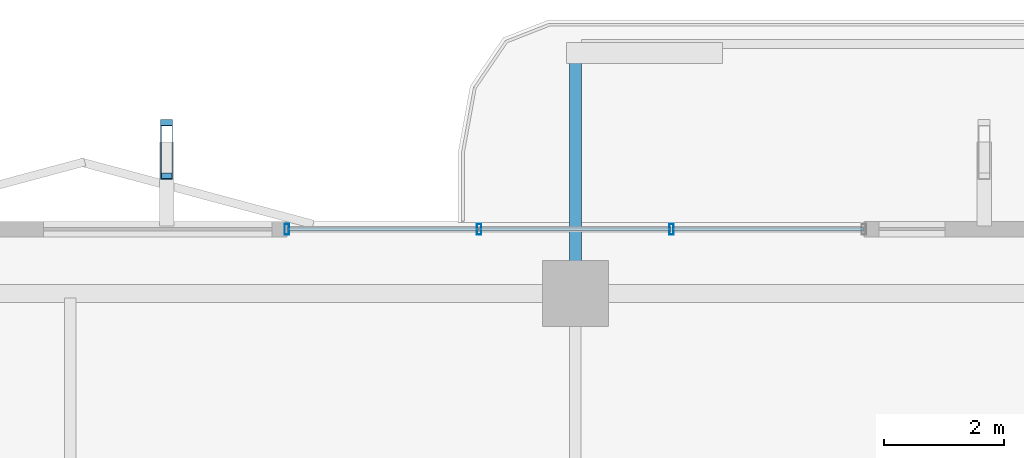
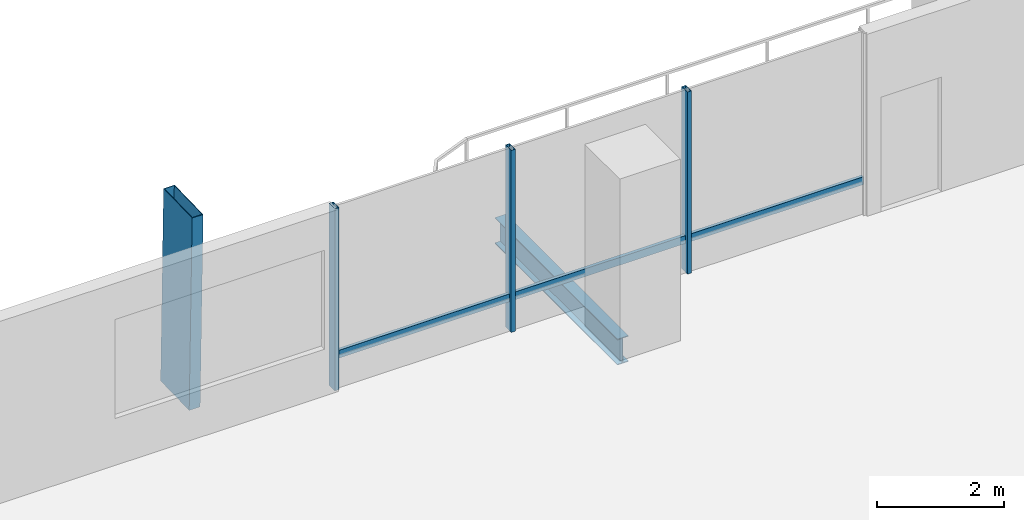
# One storey, part 14 of 25: 7 members, 1 beam, 1 element without a shape of its own.
"""IFC4 building model written with IfcOpenShell, lengths in metres."""

from ifc_helpers import new_model, si_unit, direction, frame, origin, origin_2d, place, context, subcontext, project, spatial, hollow_rectangle, i_section, extrude, material, layer, layer_set, material_profile, profile_set, type_object, element, aggregate, save


model = new_model("IFC4")

# Units and contexts
model_context = context("Model", 3, precision=1e-05, world=origin(), true_north=direction((0.0, 1.0)))
body_context = subcontext(model_context, "Body", "Model", "MODEL_VIEW")
ifc_project = project(units=[si_unit("LENGTHUNIT", "METRE"), si_unit("AREAUNIT", "SQUARE_METRE"), si_unit("VOLUMEUNIT", "CUBIC_METRE"), si_unit("PLANEANGLEUNIT", "RADIAN"), si_unit("MASSUNIT", "GRAM", prefix="KILO")], contexts=[model_context])

# Site, building, storey
site_placement = place(None, origin())
site = spatial("IfcSite", under=ifc_project, at=site_placement, CompositionType="ELEMENT")
building_placement = place(site_placement, origin())
building = spatial("IfcBuilding", under=site, at=building_placement, Name="Belovzor Exchange Tower", CompositionType="ELEMENT")
storey_placement = place(building_placement, frame((0.0, 0.0, 160.800048828125)))
storey = spatial("IfcBuildingStorey", under=building, at=storey_placement, Name="L39", CompositionType="ELEMENT", Elevation=160.800048828125)

# Beam
ifc_material_1 = material(Name="Steel S355", Category="steel")
ifc_material_profile_1 = material_profile(ifc_material_1, i_section(OverallWidth=0.199951171875, OverallDepth=0.5, WebThickness=0.01025390625, FlangeThickness=0.01611328125, at=origin_2d()))
ifc_profile_set_1 = profile_set([ifc_material_profile_1], Name="Steel S355")
beam_type = type_object("IfcBeamType", Name="Planted Balcony Cantilever Beam IPE 500", PredefinedType="BEAM", material=ifc_profile_set_1)
beam_placement = place(storey_placement, frame((28.800048828125, 52.202880859375, -0.505126953125), z_axis=(0.0, 1.0, 0.0), x_axis=(-1.0, 0.0, 0.0)))
element("IfcBeam", 1, at=beam_placement, inside=storey, type_object=beam_type, Name="BC-500 Planted Balcony Cantilever Beam IPE 500", PredefinedType="BEAM", context=body_context, shape_type="SweptSolid", body=[
    extrude(i_section(OverallWidth=0.199951171875, OverallDepth=0.5, WebThickness=0.01025390625, FlangeThickness=0.01611328125, at=origin_2d()), origin(), (0.0, 0.0, 1.0), 3.85009765625),
])

# Member
ifc_material_2 = material(Name="Extruded Architectural Terracotta on Steel S355 Carrier", Category="masonry")
ifc_material_profile_2 = material_profile(ifc_material_2, hollow_rectangle(XDim=0.199951171875, YDim=0.89990234375, WallThickness=0.011962890625, at=origin_2d()))
ifc_profile_set_2 = profile_set([ifc_material_profile_2], Name="Extruded Architectural Terracotta on Steel S355 Carrier")
member_type_1 = type_object("IfcMemberType", Name="Sweeping Terracotta Baguette Fin Assembly 1250", PredefinedType="USERDEFINED", material=ifc_profile_set_2)
member_1_placement = place(storey_placement, frame((22.0, 54.341064453125, -0.255126953125), z_axis=(0.0, -0.025057234181, 0.999686018215), x_axis=(1.0, 0.0, 0.0)))
element("IfcMember", 2, at=member_1_placement, inside=storey, type_object=member_type_1, Name="FIN-TC125 Terracotta Facade Fin L39 N2", ObjectType="FIN", PredefinedType="USERDEFINED", context=body_context, shape_type="SweptSolid", body=[
    extrude(hollow_rectangle(XDim=0.199951171875, YDim=0.89990234375, WallThickness=0.011962890625, at=origin_2d()), origin(), (0.0, 0.0, 1.0), 3.751220703125),
])

# Curtain wall, members
ifc_material_3 = material(Name="Anodised Aluminium Framing", Category="aluminium")
ifc_layer = layer(ifc_material_3, 0.179931640625)
ifc_layer_set = layer_set([ifc_layer], Name="Anodised Aluminium Framing")
curtain_wall_type = type_object("IfcCurtainWallType", Name="Recessed Loggia Low-Iron Triple-Glazed Curtain Wall", PredefinedType="NOTDEFINED", material=ifc_layer_set)
curtain_wall_placement = place(storey_placement, origin())
curtain_wall = element("IfcCurtainWall", 3, at=curtain_wall_placement, inside=storey, type_object=curtain_wall_type, Name="CW3 Recessed Loggia Low-Iron Triple-Glazed Curtain Wall L39", PredefinedType="NOTDEFINED")
ifc_material_4 = material(Name="Steel S355", Category="steel")
ifc_material_profile_3 = material_profile(ifc_material_4, hollow_rectangle(XDim=0.074951171875, YDim=0.179931640625, WallThickness=0.0048828125, at=origin_2d()))
ifc_profile_set_3 = profile_set([ifc_material_profile_3], Name="Steel S355")
member_type_2 = type_object("IfcMemberType", Name="Thermally Broken Curtain Wall Mullion 180x75", PredefinedType="MULLION", material=ifc_profile_set_3)
member_2_placement = place(storey_placement, frame((24.0, 52.969970703125, 0.0), z_axis=(0.0, 0.0, 1.0), x_axis=(1.0, 0.0, 0.0)))
member_2 = element("IfcMember", 4, at=member_2_placement, type_object=member_type_2, Name="CW-M180 Curtain Wall Mullion 1", PredefinedType="MULLION", context=body_context, shape_type="SweptSolid", body=[
    extrude(hollow_rectangle(XDim=0.074951171875, YDim=0.179931640625, WallThickness=0.0048828125, at=origin_2d()), origin(), (0.0, 0.0, 1.0), 3.494873046875),
])
member_3_placement = place(storey_placement, frame((27.199951171875, 52.969970703125, 0.0), z_axis=(0.0, 0.0, 1.0), x_axis=(1.0, 0.0, 0.0)))
member_3 = element("IfcMember", 5, at=member_3_placement, type_object=member_type_2, Name="CW-M180 Curtain Wall Mullion 2", PredefinedType="MULLION", context=body_context, shape_type="SweptSolid", body=[
    extrude(hollow_rectangle(XDim=0.074951171875, YDim=0.179931640625, WallThickness=0.0048828125, at=origin_2d()), origin(), (0.0, 0.0, 1.0), 3.494873046875),
])
member_4_placement = place(storey_placement, frame((30.39990234375, 52.969970703125, 0.0), z_axis=(0.0, 0.0, 1.0), x_axis=(1.0, 0.0, 0.0)))
member_4 = element("IfcMember", 6, at=member_4_placement, type_object=member_type_2, Name="CW-M180 Curtain Wall Mullion 3", PredefinedType="MULLION", context=body_context, shape_type="SweptSolid", body=[
    extrude(hollow_rectangle(XDim=0.074951171875, YDim=0.179931640625, WallThickness=0.0048828125, at=origin_2d()), origin(), (0.0, 0.0, 1.0), 3.494873046875),
])
ifc_material_5 = material(Name="Steel S355", Category="steel")
ifc_material_profile_4 = material_profile(ifc_material_5, hollow_rectangle(XDim=0.06005859375, YDim=0.14990234375, WallThickness=0.00390625, at=origin_2d()))
ifc_profile_set_4 = profile_set([ifc_material_profile_4], Name="Steel S355")
member_type_3 = type_object("IfcMemberType", Name="Thermally Broken Curtain Wall Transom 150x60", PredefinedType="USERDEFINED", material=ifc_profile_set_4)
member_5_placement = place(storey_placement, frame((24.008056640625, 52.969970703125, 0.62890625), z_axis=(1.0, 0.0, 0.0), x_axis=(0.0, 1.0, 0.0)))
member_5 = element("IfcMember", 7, at=member_5_placement, type_object=member_type_3, Name="CW-T150 Curtain Wall Transom 1", ObjectType="TRANSOM", PredefinedType="USERDEFINED", context=body_context, shape_type="SweptSolid", body=[
    extrude(hollow_rectangle(XDim=0.06005859375, YDim=0.14990234375, WallThickness=0.00390625, at=origin_2d()), origin(), (0.0, 0.0, 1.0), 3.183837890625),
])
member_6_placement = place(storey_placement, frame((27.2080078125, 52.969970703125, 0.62890625), z_axis=(1.0, 0.0, 0.0), x_axis=(0.0, 1.0, 0.0)))
member_6 = element("IfcMember", 8, at=member_6_placement, type_object=member_type_3, Name="CW-T150 Curtain Wall Transom 2", ObjectType="TRANSOM", PredefinedType="USERDEFINED", context=body_context, shape_type="SweptSolid", body=[
    extrude(hollow_rectangle(XDim=0.06005859375, YDim=0.14990234375, WallThickness=0.00390625, at=origin_2d()), origin(), (0.0, 0.0, 1.0), 3.18408203125),
])
member_7_placement = place(storey_placement, frame((30.407958984375, 52.969970703125, 0.62890625), z_axis=(1.0, 0.0, 0.0), x_axis=(0.0, 1.0, 0.0)))
member_7 = element("IfcMember", 9, at=member_7_placement, type_object=member_type_3, Name="CW-T150 Curtain Wall Transom 3", ObjectType="TRANSOM", PredefinedType="USERDEFINED", context=body_context, shape_type="SweptSolid", body=[
    extrude(hollow_rectangle(XDim=0.06005859375, YDim=0.14990234375, WallThickness=0.00390625, at=origin_2d()), origin(), (0.0, 0.0, 1.0), 3.18408203125),
])
aggregate(curtain_wall, [member_2, member_3, member_4, member_5, member_6, member_7])

save(model, "model.ifc")
